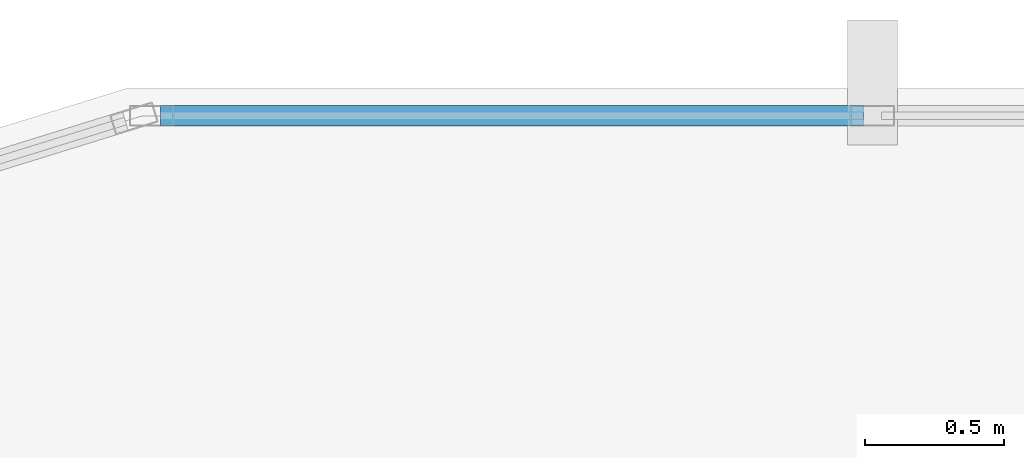
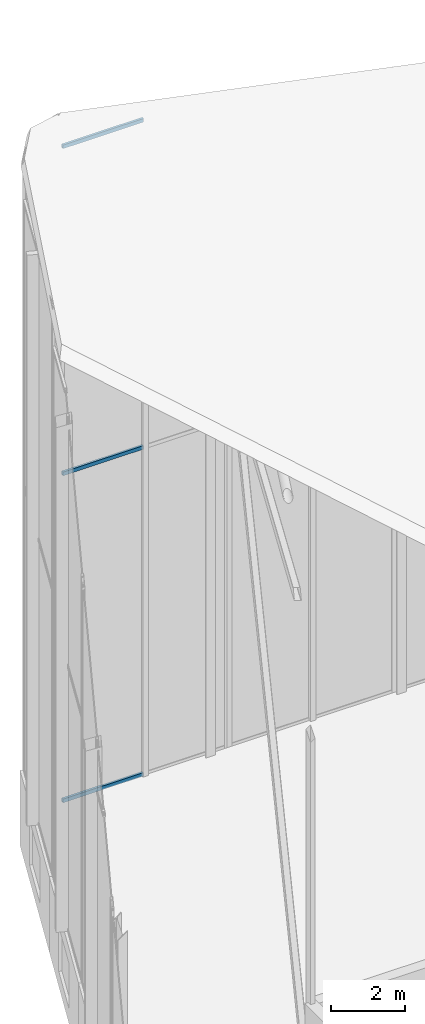
# One storey, part 44 of 74: 3 members, 1 element without a shape of its own.
"""IFC4 building model written with IfcOpenShell, lengths in metres."""

from ifc_helpers import new_model, si_unit, direction, frame, origin, origin_2d, place, context, subcontext, project, spatial, hollow_rectangle, extrude, material, layer, layer_set, material_profile, profile_set, type_object, element, aggregate, save


model = new_model("IFC4")

# Units and contexts
model_context = context("Model", 3, precision=1e-05, world=origin(), true_north=direction((0.0, 1.0)))
body_context = subcontext(model_context, "Body", "Model", "MODEL_VIEW")
ifc_project = project(units=[si_unit("LENGTHUNIT", "METRE"), si_unit("AREAUNIT", "SQUARE_METRE"), si_unit("VOLUMEUNIT", "CUBIC_METRE"), si_unit("PLANEANGLEUNIT", "RADIAN"), si_unit("MASSUNIT", "GRAM", prefix="KILO")], contexts=[model_context])

# Site, building, storey
site_placement = place(None, origin())
site = spatial("IfcSite", under=ifc_project, at=site_placement, CompositionType="ELEMENT")
building_placement = place(site_placement, origin())
building = spatial("IfcBuilding", under=site, at=building_placement, Name="Keshet Zoharim Tower", CompositionType="ELEMENT")
storey_placement = place(building_placement, frame((0.0, 0.0, 320.0)))
storey = spatial("IfcBuildingStorey", under=building, at=storey_placement, Name="RF", CompositionType="ELEMENT", Elevation=320.0)

# Curtain wall, members
ifc_material = material(Name="Aluminium 6063-T6", Category="aluminium")
ifc_layer = layer(ifc_material, 0.260009765625)
ifc_layer_set = layer_set([ifc_layer], Name="Aluminium 6063-T6")
curtain_wall_type = type_object("IfcCurtainWallType", Name="CW-SYS-06", PredefinedType="NOTDEFINED", material=ifc_layer_set)
curtain_wall_placement = place(storey_placement, origin())
curtain_wall = element("IfcCurtainWall", 1, at=curtain_wall_placement, inside=storey, type_object=curtain_wall_type, Name="Slanted Crown Curtain Wall 11", PredefinedType="NOTDEFINED")
ifc_material_profile = material_profile(ifc_material, hollow_rectangle(XDim=0.074951171875, YDim=0.1201171875, WallThickness=0.00390625, at=origin_2d()), Name="TRN-75x120")
ifc_profile_set = profile_set([ifc_material_profile], Name="Aluminium 6063-T6")
member_type = type_object("IfcMemberType", Name="CWT-T12", PredefinedType="USERDEFINED", material=ifc_profile_set)
member_1_placement = place(storey_placement, frame((16.43896484375, 53.89990234375, 0.032470703125), z_axis=(1.0, 0.0, 0.0), x_axis=(0.0, 1.0, 0.0)))
member_1 = element("IfcMember", 2, at=member_1_placement, type_object=member_type, Name="CW-06 transom 1.1", ObjectType="TRANSOM", PredefinedType="USERDEFINED", context=body_context, shape_type="SweptSolid", body=[
    extrude(hollow_rectangle(XDim=0.074951171875, YDim=0.1201171875, WallThickness=0.00390625, at=origin_2d()), origin(), (0.0, 0.0, 1.0), 2.531982421875),
])
member_2_placement = place(storey_placement, frame((16.43896484375, 53.89990234375, 10.89501953125), z_axis=(1.0, 0.0, 0.0), x_axis=(0.0, 1.0, 0.0)))
member_2 = element("IfcMember", 3, at=member_2_placement, type_object=member_type, Name="CW-06 transom 1.2", ObjectType="TRANSOM", PredefinedType="USERDEFINED", context=body_context, shape_type="SweptSolid", body=[
    extrude(hollow_rectangle(XDim=0.074951171875, YDim=0.1201171875, WallThickness=0.00390625, at=origin_2d()), origin(), (0.0, 0.0, 1.0), 2.531982421875),
])
member_3_placement = place(storey_placement, frame((16.43896484375, 53.89990234375, 21.758544921875), z_axis=(1.0, 0.0, 0.0), x_axis=(0.0, 1.0, 0.0)))
member_3 = element("IfcMember", 4, at=member_3_placement, type_object=member_type, Name="CW-06 transom 1.3", ObjectType="TRANSOM", PredefinedType="USERDEFINED", context=body_context, shape_type="SweptSolid", body=[
    extrude(hollow_rectangle(XDim=0.074951171875, YDim=0.1201171875, WallThickness=0.00390625, at=origin_2d()), origin(), (0.0, 0.0, 1.0), 2.531982421875),
])
aggregate(curtain_wall, [member_1, member_2, member_3])

save(model, "model.ifc")
